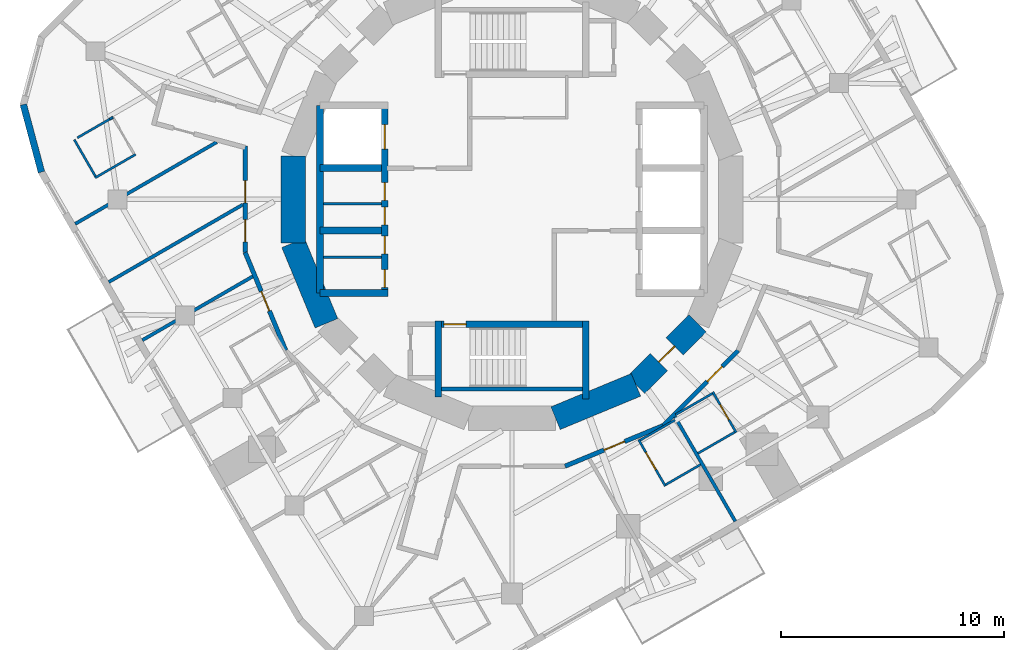
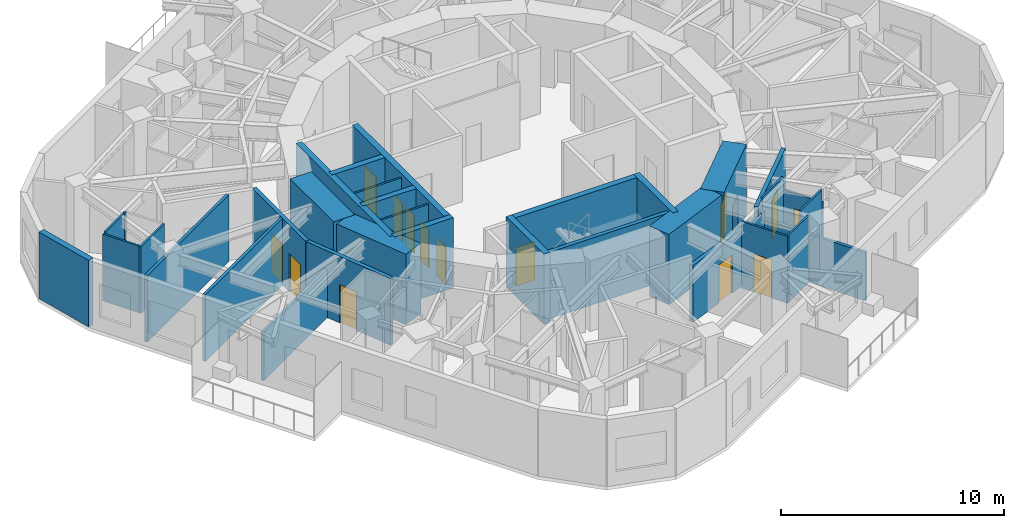
# One storey, part 5 of 11: 34 walls, 14 doors, 14 openings.
"""IFC4 building model written with IfcOpenShell, lengths in metres."""

from ifc_helpers import new_model, si_unit, direction, frame, frame_2d, origin, place, context, subcontext, project, spatial, rectangle, extrude, material, layer, layer_set, type_object, element, fill, save


model = new_model("IFC4")

# Units and contexts
model_context = context("Model", 3, precision=1e-05, world=origin(), true_north=direction((0.0, 1.0)))
body_context = subcontext(model_context, "Body", "Model", "MODEL_VIEW")
ifc_project = project(units=[si_unit("LENGTHUNIT", "METRE"), si_unit("AREAUNIT", "SQUARE_METRE"), si_unit("VOLUMEUNIT", "CUBIC_METRE"), si_unit("PLANEANGLEUNIT", "RADIAN"), si_unit("MASSUNIT", "GRAM", prefix="KILO")], contexts=[model_context])

# Site, building, storey
site_placement = place(None, origin())
site = spatial("IfcSite", under=ifc_project, at=site_placement, CompositionType="ELEMENT")
building_placement = place(site_placement, origin())
building = spatial("IfcBuilding", under=site, at=building_placement, Name="Nakasero Lantern House", CompositionType="ELEMENT")
storey_placement = place(building_placement, frame((0.0, 0.0, 230.800048828125)))
storey = spatial("IfcBuildingStorey", under=building, at=storey_placement, Name="L56", CompositionType="ELEMENT", Elevation=230.800048828125)

# Wall, openings, doors
ifc_material_1 = material(Name="Concrete C50/60", Category="concrete")
ifc_layer_1 = layer(ifc_material_1, 0.300048828125)
ifc_layer_set_1 = layer_set([ifc_layer_1], Name="Core inner wall 300")
wall_type_1 = type_object("IfcWallType", Name="Core inner wall 300", PredefinedType="SHEAR", material=ifc_layer_set_1)
wall_1_placement = place(storey_placement, frame((-5.699951171875, -4.199951171875, 0.0), z_axis=(0.0, 0.0, 1.0), x_axis=(0.0, 1.0, 0.0)))
wall_1 = element("IfcWall", 1, at=wall_1_placement, inside=storey, type_object=wall_type_1, Name="Core inner wall L56 LW", PredefinedType="SHEAR", context=body_context, shape_type="SweptSolid", body=[
    extrude(rectangle(XDim=8.39990234375, YDim=0.300048828125, at=frame_2d((4.199951171875, 0.0))), origin(), (0.0, 0.0, 1.0), 3.849853515625),
])
opening_1_placement = place(wall_1_placement, frame((0.25, 0.0, 0.0)))
opening_1 = element("IfcOpeningElement", 2, at=opening_1_placement, cuts=wall_1, Name="Opening D19", PredefinedType="OPENING", context=body_context, shape_type="SweptSolid", body=[
    extrude(rectangle(XDim=0.800048828125, YDim=2.10009765625, at=frame_2d((0.39990234375, 1.050048828125))), frame((0.0, 0.169921875, 0.0), z_axis=(0.0, -1.0, 0.0), x_axis=(1.0, 0.0, 0.0)), (0.0, 0.0, 1.0), 0.340087890625),
])
opening_2_placement = place(wall_1_placement, frame((1.75, 0.0, 0.0)))
opening_2 = element("IfcOpeningElement", 3, at=opening_2_placement, cuts=wall_1, Name="Opening D15", PredefinedType="OPENING", context=body_context, shape_type="SweptSolid", body=[
    extrude(rectangle(XDim=0.800048828125, YDim=2.10009765625, at=frame_2d((0.39990234375, 1.050048828125))), frame((0.0, 0.169921875, 0.0), z_axis=(0.0, -1.0, 0.0), x_axis=(1.0, 0.0, 0.0)), (0.0, 0.0, 1.0), 0.340087890625),
])
opening_3_placement = place(wall_1_placement, frame((3.050048828125, 0.0, 0.0)))
opening_3 = element("IfcOpeningElement", 4, at=opening_3_placement, cuts=wall_1, Name="Opening D15", PredefinedType="OPENING", context=body_context, shape_type="SweptSolid", body=[
    extrude(rectangle(XDim=0.800048828125, YDim=2.10009765625, at=frame_2d((0.39990234375, 1.050048828125))), frame((0.0, 0.169921875, 0.0), z_axis=(0.0, -1.0, 0.0), x_axis=(1.0, 0.0, 0.0)), (0.0, 0.0, 1.0), 0.340087890625),
])
opening_4_placement = place(wall_1_placement, frame((4.14990234375, 0.0, 0.0)))
opening_4 = element("IfcOpeningElement", 5, at=opening_4_placement, cuts=wall_1, Name="Opening D15", PredefinedType="OPENING", context=body_context, shape_type="SweptSolid", body=[
    extrude(rectangle(XDim=0.800048828125, YDim=2.10009765625, at=frame_2d((0.39990234375, 1.050048828125))), frame((0.0, 0.169921875, 0.0), z_axis=(0.0, -1.0, 0.0), x_axis=(1.0, 0.0, 0.0)), (0.0, 0.0, 1.0), 0.340087890625),
])
opening_5_placement = place(wall_1_placement, frame((6.449951171875, 0.0, 0.0)))
opening_5 = element("IfcOpeningElement", 6, at=opening_5_placement, cuts=wall_1, Name="Opening LD", PredefinedType="OPENING", context=body_context, shape_type="SweptSolid", body=[
    extrude(rectangle(XDim=1.10009765625, YDim=2.10009765625, at=frame_2d((0.550048828125, 1.050048828125))), frame((0.0, 0.169921875, 0.0), z_axis=(0.0, -1.0, 0.0), x_axis=(1.0, 0.0, 0.0)), (0.0, 0.0, 1.0), 0.340087890625),
])
ifc_material_2 = material(Name="Timber C24", Category="wood")
door_type_1 = type_object("IfcDoorType", Name="Cleaner's store door FD30S 800", OperationType="SINGLE_SWING_LEFT", PredefinedType="DOOR", material=ifc_material_2)
door_1_placement = place(opening_2_placement, origin())
door_1 = element("IfcDoor", 7, at=door_1_placement, inside=storey, type_object=door_type_1, Name="Door L56 D-SH-LW1b", OperationType="SINGLE_SWING_LEFT", OverallHeight=2.10009765625, OverallWidth=0.800048828125, PredefinedType="DOOR", context=body_context, shape_type="SweptSolid", body=[
    extrude(rectangle(XDim=0.800048828125, YDim=2.10009765625, at=frame_2d((0.39990234375, 1.050048828125))), frame((0.0, 0.02490234375, 0.0), z_axis=(0.0, -1.0, 0.0), x_axis=(1.0, 0.0, 0.0)), (0.0, 0.0, 1.0), 0.050048828125),
])
fill(opening_2, door_1)
door_2_placement = place(opening_3_placement, origin())
door_2 = element("IfcDoor", 8, at=door_2_placement, inside=storey, type_object=door_type_1, Name="Door L56 D-SH-LW2a", OperationType="SINGLE_SWING_LEFT", OverallHeight=2.10009765625, OverallWidth=0.800048828125, PredefinedType="DOOR", context=body_context, shape_type="SweptSolid", body=[
    extrude(rectangle(XDim=0.800048828125, YDim=2.10009765625, at=frame_2d((0.39990234375, 1.050048828125))), frame((0.0, 0.02490234375, 0.0), z_axis=(0.0, -1.0, 0.0), x_axis=(1.0, 0.0, 0.0)), (0.0, 0.0, 1.0), 0.050048828125),
])
fill(opening_3, door_2)
door_3_placement = place(opening_4_placement, origin())
door_3 = element("IfcDoor", 9, at=door_3_placement, inside=storey, type_object=door_type_1, Name="Door L56 D-SH-LW2b", OperationType="SINGLE_SWING_RIGHT", OverallHeight=2.10009765625, OverallWidth=0.800048828125, PredefinedType="DOOR", context=body_context, shape_type="SweptSolid", body=[
    extrude(rectangle(XDim=0.800048828125, YDim=2.10009765625, at=frame_2d((0.39990234375, 1.050048828125))), frame((0.0, 0.02490234375, 0.0), z_axis=(0.0, -1.0, 0.0), x_axis=(1.0, 0.0, 0.0)), (0.0, 0.0, 1.0), 0.050048828125),
])
fill(opening_4, door_3)
ifc_material_3 = material(Name="Steel S355", Category="steel")
door_type_2 = type_object("IfcDoorType", Name="Lift landing door E120 1100", OperationType="SLIDING_TO_LEFT", PredefinedType="DOOR", material=ifc_material_3)
door_4_placement = place(opening_5_placement, origin())
door_4 = element("IfcDoor", 10, at=door_4_placement, inside=storey, type_object=door_type_2, Name="Lift landing door LW3", OperationType="SLIDING_TO_LEFT", OverallHeight=2.10009765625, OverallWidth=1.10009765625, PredefinedType="DOOR", context=body_context, shape_type="SweptSolid", body=[
    extrude(rectangle(XDim=1.10009765625, YDim=2.10009765625, at=frame_2d((0.550048828125, 1.050048828125))), frame((0.0, 0.02490234375, 0.0), z_axis=(0.0, -1.0, 0.0), x_axis=(1.0, 0.0, 0.0)), (0.0, 0.0, 1.0), 0.050048828125),
])
fill(opening_5, door_4)
ifc_material_4 = material(Name="Steel S355", Category="steel")
door_type_3 = type_object("IfcDoorType", Name="Plant room door FD60 800", OperationType="SINGLE_SWING_LEFT", PredefinedType="DOOR", material=ifc_material_4)
door_5_placement = place(opening_1_placement, origin())
door_5 = element("IfcDoor", 11, at=door_5_placement, inside=storey, type_object=door_type_3, Name="Door L56 D-SH-LW1a", OperationType="SINGLE_SWING_LEFT", OverallHeight=2.10009765625, OverallWidth=0.800048828125, PredefinedType="DOOR", context=body_context, shape_type="SweptSolid", body=[
    extrude(rectangle(XDim=0.800048828125, YDim=2.10009765625, at=frame_2d((0.39990234375, 1.050048828125))), frame((0.0, 0.02490234375, 0.0), z_axis=(0.0, -1.0, 0.0), x_axis=(1.0, 0.0, 0.0)), (0.0, 0.0, 1.0), 0.050048828125),
])
fill(opening_1, door_5)

# Walls
wall_2_placement = place(storey_placement, frame((-8.60009765625, -4.199951171875, 0.0), z_axis=(0.0, 0.0, 1.0), x_axis=(1.0, 0.0, 0.0)))
element("IfcWall", 12, at=wall_2_placement, inside=storey, type_object=wall_type_1, Name="Core inner wall L56 LWS", PredefinedType="SHEAR", context=body_context, shape_type="SweptSolid", body=[
    extrude(rectangle(XDim=3.050048828125, YDim=0.300048828125, at=frame_2d((1.52490234375, 0.0))), origin(), (0.0, 0.0, 1.0), 3.849853515625),
])
wall_3_placement = place(storey_placement, frame((-8.60009765625, -4.199951171875, 0.0), z_axis=(0.0, 0.0, 1.0), x_axis=(0.0, 1.0, 0.0)))
element("IfcWall", 13, at=wall_3_placement, inside=storey, type_object=wall_type_1, Name="Core inner wall L56 LWB", PredefinedType="SHEAR", context=body_context, shape_type="SweptSolid", body=[
    extrude(rectangle(XDim=8.39990234375, YDim=0.300048828125, at=frame_2d((4.199951171875, 0.0))), origin(), (0.0, 0.0, 1.0), 3.849853515625),
])
for number, where, z_axis, x_axis, name in (
    (14, (-8.60009765625, -1.39990234375, 0.0), (0.0, 0.0, 1.0), (1.0, 0.0, 0.0), "Core inner wall L56 LW1"),
    (15, (-8.60009765625, 1.39990234375, 0.0), (0.0, 0.0, 1.0), (1.0, 0.0, 0.0), "Core inner wall L56 LW2"),
):
    element("IfcWall", number, at=place(storey_placement, frame(where, z_axis=z_axis, x_axis=x_axis)), inside=storey, type_object=wall_type_1, Name=name, PredefinedType="SHEAR", context=body_context, shape_type="SweptSolid", body=[
        extrude(rectangle(XDim=2.75, YDim=0.300048828125, at=frame_2d((1.375, 0.0))), origin(), (0.0, 0.0, 1.0), 3.849853515625),
    ])

# Wall, opening, door
wall_4_placement = place(storey_placement, frame((-3.449951171875, -5.60009765625, 0.0), z_axis=(0.0, 0.0, 1.0), x_axis=(1.0, 0.0, 0.0)))
wall_4 = element("IfcWall", 16, at=wall_4_placement, inside=storey, type_object=wall_type_1, Name="Core inner wall L56 SS", PredefinedType="SHEAR", context=body_context, shape_type="SweptSolid", body=[
    extrude(rectangle(XDim=6.89990234375, YDim=0.300048828125, at=frame_2d((3.449951171875, 0.0))), origin(), (0.0, 0.0, 1.0), 3.849853515625),
])
opening_6_placement = place(wall_4_placement, frame((0.39990234375, 0.0, 0.0)))
opening_6 = element("IfcOpeningElement", 17, at=opening_6_placement, cuts=wall_4, Name="Opening D05", PredefinedType="OPENING", context=body_context, shape_type="SweptSolid", body=[
    extrude(rectangle(XDim=1.0, YDim=2.10009765625, at=frame_2d((0.5, 1.050048828125))), frame((0.0, 0.169921875, 0.0), z_axis=(0.0, -1.0, 0.0), x_axis=(1.0, 0.0, 0.0)), (0.0, 0.0, 1.0), 0.340087890625),
])
ifc_material_5 = material(Name="Timber C24", Category="wood")
door_type_4 = type_object("IfcDoorType", Name="Core door FD60S 1000", OperationType="SINGLE_SWING_LEFT", PredefinedType="DOOR", material=ifc_material_5)
door_6_placement = place(opening_6_placement, origin())
door_6 = element("IfcDoor", 18, at=door_6_placement, inside=storey, type_object=door_type_4, Name="Door L56 D-ST2", OperationType="SINGLE_SWING_LEFT", OverallHeight=2.10009765625, OverallWidth=1.0, PredefinedType="DOOR", context=body_context, shape_type="SweptSolid", body=[
    extrude(rectangle(XDim=1.0, YDim=2.10009765625, at=frame_2d((0.5, 1.050048828125))), frame((0.0, 0.02490234375, 0.0), z_axis=(0.0, -1.0, 0.0), x_axis=(1.0, 0.0, 0.0)), (0.0, 0.0, 1.0), 0.050048828125),
])
fill(opening_6, door_6)

# Walls
wall_5_placement = place(storey_placement, frame((-3.300048828125, -5.449951171875, 0.0), z_axis=(0.0, 0.0, 1.0), x_axis=(0.0, -1.0, 0.0)))
element("IfcWall", 19, at=wall_5_placement, inside=storey, type_object=wall_type_1, Name="Core inner wall L56 SSW", PredefinedType="SHEAR", context=body_context, shape_type="SweptSolid", body=[
    extrude(rectangle(XDim=3.400146484375, YDim=0.300048828125, at=frame_2d((1.7001953125, 0.0))), origin(), (0.0, 0.0, 1.0), 3.849853515625),
])
wall_6_placement = place(storey_placement, frame((3.300048828125, -5.449951171875, 0.0), z_axis=(0.0, 0.0, 1.0), x_axis=(0.0, -1.0, 0.0)))
element("IfcWall", 20, at=wall_6_placement, inside=storey, type_object=wall_type_1, Name="Core inner wall L56 SSE", PredefinedType="SHEAR", context=body_context, shape_type="SweptSolid", body=[
    extrude(rectangle(XDim=3.5, YDim=0.300048828125, at=frame_2d((1.75, 0.0))), origin(), (0.0, 0.0, 1.0), 3.849853515625),
])
ifc_material_6 = material(Name="Blockwork", Category="masonry")
ifc_layer_2 = layer(ifc_material_6, 0.10009765625)
ifc_layer_set_2 = layer_set([ifc_layer_2], Name="Core room wall 100")
wall_type_2 = type_object("IfcWallType", Name="Core room wall 100", PredefinedType="PARTITIONING", material=ifc_layer_set_2)
for number, where, z_axis, x_axis, name in (
    (21, (-8.449951171875, -2.60009765625, 0.0), (0.0, 0.0, 1.0), (1.0, 0.0, 0.0), "Core room wall L56 CR-SH-LW1b"),
    (22, (-8.449951171875, -0.199951171875, 0.0), (0.0, 0.0, 1.0), (1.0, 0.0, 0.0), "Core room wall L56 CR-SH-LW2b"),
):
    element("IfcWall", number, at=place(storey_placement, frame(where, z_axis=z_axis, x_axis=x_axis)), inside=storey, type_object=wall_type_2, Name=name, PredefinedType="PARTITIONING", context=body_context, shape_type="SweptSolid", body=[
        extrude(rectangle(XDim=2.599853515625, YDim=0.10009765625, at=frame_2d((1.2998046875, 0.0))), origin(), (0.0, 0.0, 1.0), 3.64990234375),
    ])
ifc_material_7 = material(Name="Concrete C50/60", Category="concrete")
ifc_layer_3 = layer(ifc_material_7, 1.10009765625)
ifc_layer_set_3 = layer_set([ifc_layer_3], Name="Core wall 1100")
wall_type_3 = type_object("IfcWallType", Name="Core wall 1100", PredefinedType="SHEAR", material=ifc_layer_set_3)
for number, where, z_axis, x_axis, name in (
    (23, (-9.807861328125, 1.950927734375, 0.0), (0.0, 0.0, 1.0), (0.0, -1.0, 0.0), "Core wall L56 facet 8"),
    (24, (-9.807861328125, -1.950927734375, 0.0), (0.0, 0.0, 1.0), (0.382690736062, -0.923876507187, 0.0), "Core wall L56 facet 9"),
    (25, (1.950927734375, -9.807861328125, 0.0), (0.0, 0.0, 1.0), (0.923876507187, 0.382690736062, 0.0), "Core wall L56 facet 13"),
):
    element("IfcWall", number, at=place(storey_placement, frame(where, z_axis=z_axis, x_axis=x_axis)), inside=storey, type_object=wall_type_3, Name=name, PredefinedType="SHEAR", context=body_context, shape_type="SweptSolid", body=[
        extrude(rectangle(XDim=3.90185546875, YDim=1.10009765625, at=frame_2d((1.950927734375, 0.0))), origin(), (0.0, 0.0, 1.0), 3.849853515625),
    ])

# Wall, opening, door
wall_7_placement = place(storey_placement, frame((5.5556640625, -8.314697265625, 0.0), z_axis=(0.0, 0.0, 1.0), x_axis=(0.707106781187, 0.707106781187, 0.0)))
wall_7 = element("IfcWall", 26, at=wall_7_placement, inside=storey, type_object=wall_type_3, Name="Core wall L56 facet 14", PredefinedType="SHEAR", context=body_context, shape_type="SweptSolid", body=[
    extrude(rectangle(XDim=3.90185546875, YDim=1.10009765625, at=frame_2d((1.950927734375, 0.0))), origin(), (0.0, 0.0, 1.0), 3.849853515625),
])
opening_7_placement = place(wall_7_placement, frame((1.450927734375, 0.0, 0.0)))
opening_7 = element("IfcOpeningElement", 27, at=opening_7_placement, cuts=wall_7, Name="Opening D05", PredefinedType="OPENING", context=body_context, shape_type="SweptSolid", body=[
    extrude(rectangle(XDim=1.0, YDim=2.10009765625, at=frame_2d((0.5, 1.050048828125))), frame((0.0, 0.570068359375, 0.0), z_axis=(0.0, -1.0, 0.0), x_axis=(1.0, 0.0, 0.0)), (0.0, 0.0, 1.0), 1.14013671875),
])
door_7_placement = place(opening_7_placement, origin())
door_7 = element("IfcDoor", 28, at=door_7_placement, inside=storey, type_object=door_type_4, Name="Door L56 D-CORE14", OperationType="SINGLE_SWING_LEFT", OverallHeight=2.10009765625, OverallWidth=1.0, PredefinedType="DOOR", context=body_context, shape_type="SweptSolid", body=[
    extrude(rectangle(XDim=1.0, YDim=2.10009765625, at=frame_2d((0.5, 1.050048828125))), frame((0.0, 0.02490234375, 0.0), z_axis=(0.0, -1.0, 0.0), x_axis=(1.0, 0.0, 0.0)), (0.0, 0.0, 1.0), 0.050048828125),
])
fill(opening_7, door_7)

ifc_material_8 = material(Name="Blockwork", Category="masonry")
ifc_layer_4 = layer(ifc_material_8, 0.199951171875)
ifc_layer_set_4 = layer_set([ifc_layer_4], Name="Corridor wall 200")
wall_type_4 = type_object("IfcWallType", Name="Corridor wall 200", PredefinedType="PARTITIONING", material=ifc_layer_set_4)
wall_8_placement = place(storey_placement, frame((10.137451171875, -6.773681640625, 0.0), z_axis=(0.0, 0.0, 1.0), x_axis=(-0.707106781187, -0.707106781187, 0.0)))
wall_8 = element("IfcWall", 29, at=wall_8_placement, inside=storey, type_object=wall_type_4, Name="Corridor wall L56 RC02a", PredefinedType="PARTITIONING", context=body_context, shape_type="SweptSolid", body=[
    extrude(rectangle(XDim=4.757080078125, YDim=0.199951171875, at=frame_2d((2.37841796875, 0.0))), origin(), (0.0, 0.0, 1.0), 3.64990234375),
])
opening_8_placement = place(wall_8_placement, frame((1.02001953125, 0.0, 0.0)))
opening_8 = element("IfcOpeningElement", 30, at=opening_8_placement, cuts=wall_8, Name="Opening D01", PredefinedType="OPENING", context=body_context, shape_type="SweptSolid", body=[
    extrude(rectangle(XDim=0.949951171875, YDim=2.10009765625, at=frame_2d((0.47509765625, 1.050048828125))), frame((0.0, 0.119873046875, 0.0), z_axis=(0.0, -1.0, 0.0), x_axis=(1.0, 0.0, 0.0)), (0.0, 0.0, 1.0), 0.239990234375),
])
ifc_material_9 = material(Name="Timber C24", Category="wood")
door_type_5 = type_object("IfcDoorType", Name="Bedroom door FD30S 950", OperationType="SINGLE_SWING_LEFT", PredefinedType="DOOR", material=ifc_material_9)
door_8_placement = place(opening_8_placement, origin())
door_8 = element("IfcDoor", 31, at=door_8_placement, inside=storey, type_object=door_type_5, Name="Door L56 D3-04", OperationType="SINGLE_SWING_LEFT", OverallHeight=2.10009765625, OverallWidth=0.949951171875, PredefinedType="DOOR", context=body_context, shape_type="SweptSolid", body=[
    extrude(rectangle(XDim=0.949951171875, YDim=2.10009765625, at=frame_2d((0.47509765625, 1.050048828125))), frame((0.0, 0.02490234375, 0.0), z_axis=(0.0, -1.0, 0.0), x_axis=(1.0, 0.0, 0.0)), (0.0, 0.0, 1.0), 0.050048828125),
])
fill(opening_8, door_8)

wall_9_placement = place(storey_placement, frame((6.773681640625, -10.137451171875, 0.0), z_axis=(0.0, 0.0, 1.0), x_axis=(-0.923891735412, -0.382653970627, 0.0)))
wall_9 = element("IfcWall", 32, at=wall_9_placement, inside=storey, type_object=wall_type_4, Name="Corridor wall L56 RC03a", PredefinedType="PARTITIONING", context=body_context, shape_type="SweptSolid", body=[
    extrude(rectangle(XDim=4.757080078125, YDim=0.199951171875, at=frame_2d((2.37841796875, 0.0))), origin(), (0.0, 0.0, 1.0), 3.11328125),
])
opening_9_placement = place(wall_9_placement, frame((1.8701171875, 0.0, 0.0)))
opening_9 = element("IfcOpeningElement", 33, at=opening_9_placement, cuts=wall_9, Name="Opening D07", PredefinedType="OPENING", context=body_context, shape_type="SweptSolid", body=[
    extrude(rectangle(XDim=1.0, YDim=2.10009765625, at=frame_2d((0.5, 1.050048828125))), frame((0.0, 0.119873046875, 0.0), z_axis=(0.0, -1.0, 0.0), x_axis=(1.0, 0.0, 0.0)), (0.0, 0.0, 1.0), 0.239990234375),
])
ifc_material_10 = material(Name="Timber C24", Category="wood")
door_type_6 = type_object("IfcDoorType", Name="Room door FD30S 1000", OperationType="SINGLE_SWING_LEFT", PredefinedType="DOOR", material=ifc_material_10)
door_9_placement = place(opening_9_placement, origin())
door_9 = element("IfcDoor", 34, at=door_9_placement, inside=storey, type_object=door_type_6, Name="Door L56 D3-03", OperationType="SINGLE_SWING_LEFT", OverallHeight=2.10009765625, OverallWidth=1.0, PredefinedType="DOOR", context=body_context, shape_type="SweptSolid", body=[
    extrude(rectangle(XDim=1.0, YDim=2.10009765625, at=frame_2d((0.5, 1.050048828125))), frame((0.0, 0.02490234375, 0.0), z_axis=(0.0, -1.0, 0.0), x_axis=(1.0, 0.0, 0.0)), (0.0, 0.0, 1.0), 0.050048828125),
])
fill(opening_9, door_9)

wall_10_placement = place(storey_placement, frame((-10.137451171875, -6.773681640625, 0.0), z_axis=(0.0, 0.0, 1.0), x_axis=(-0.382653970627, 0.923891735412, 0.0)))
wall_10 = element("IfcWall", 35, at=wall_10_placement, inside=storey, type_object=wall_type_4, Name="Corridor wall L56 RC07a", PredefinedType="PARTITIONING", context=body_context, shape_type="SweptSolid", body=[
    extrude(rectangle(XDim=4.757080078125, YDim=0.199951171875, at=frame_2d((2.37841796875, 0.0))), origin(), (0.0, 0.0, 1.0), 3.64990234375),
])
opening_10_placement = place(wall_10_placement, frame((1.919921875, 0.0, 0.0)))
opening_10 = element("IfcOpeningElement", 36, at=opening_10_placement, cuts=wall_10, Name="Opening D01", PredefinedType="OPENING", context=body_context, shape_type="SweptSolid", body=[
    extrude(rectangle(XDim=0.949951171875, YDim=2.10009765625, at=frame_2d((0.47509765625, 1.050048828125))), frame((0.0, 0.119873046875, 0.0), z_axis=(0.0, -1.0, 0.0), x_axis=(1.0, 0.0, 0.0)), (0.0, 0.0, 1.0), 0.239990234375),
])
door_10_placement = place(opening_10_placement, origin())
door_10 = element("IfcDoor", 37, at=door_10_placement, inside=storey, type_object=door_type_5, Name="Door L56 D2-03", OperationType="SINGLE_SWING_RIGHT", OverallHeight=2.10009765625, OverallWidth=0.949951171875, PredefinedType="DOOR", context=body_context, shape_type="SweptSolid", body=[
    extrude(rectangle(XDim=0.949951171875, YDim=2.10009765625, at=frame_2d((0.47509765625, 1.050048828125))), frame((0.0, 0.02490234375, 0.0), z_axis=(0.0, -1.0, 0.0), x_axis=(1.0, 0.0, 0.0)), (0.0, 0.0, 1.0), 0.050048828125),
])
fill(opening_10, door_10)

# Wall, openings, doors
wall_11_placement = place(storey_placement, frame((-11.957763671875, -2.378662109375, 0.0), z_axis=(0.0, 0.0, 1.0), x_axis=(0.0, 1.0, 0.0)))
wall_11 = element("IfcWall", 38, at=wall_11_placement, inside=storey, type_object=wall_type_4, Name="Corridor wall L56 RC08a", PredefinedType="PARTITIONING", context=body_context, shape_type="SweptSolid", body=[
    extrude(rectangle(XDim=4.75732421875, YDim=0.199951171875, at=frame_2d((2.378662109375, 0.0))), origin(), (0.0, 0.0, 1.0), 3.64990234375),
])
opening_11_placement = place(wall_11_placement, frame((2.219970703125, 0.0, 0.0)))
opening_11 = element("IfcOpeningElement", 39, at=opening_11_placement, cuts=wall_11, Name="Opening D03", PredefinedType="OPENING", context=body_context, shape_type="SweptSolid", body=[
    extrude(rectangle(XDim=1.0, YDim=2.10009765625, at=frame_2d((0.5, 1.050048828125))), frame((0.0, 0.119873046875, 0.0), z_axis=(0.0, -1.0, 0.0), x_axis=(1.0, 0.0, 0.0)), (0.0, 0.0, 1.0), 0.239990234375),
])
opening_12_placement = place(wall_11_placement, frame((0.469970703125, 0.0, 0.0)))
opening_12 = element("IfcOpeningElement", 40, at=opening_12_placement, cuts=wall_11, Name="Opening D03", PredefinedType="OPENING", context=body_context, shape_type="SweptSolid", body=[
    extrude(rectangle(XDim=1.0, YDim=2.10009765625, at=frame_2d((0.5, 1.050048828125))), frame((0.0, 0.119873046875, 0.0), z_axis=(0.0, -1.0, 0.0), x_axis=(1.0, 0.0, 0.0)), (0.0, 0.0, 1.0), 0.239990234375),
])
ifc_material_11 = material(Name="Timber C24", Category="wood")
door_type_7 = type_object("IfcDoorType", Name="Lounge door FD30S 1000", OperationType="SINGLE_SWING_LEFT", PredefinedType="DOOR", material=ifc_material_11)
door_11_placement = place(opening_11_placement, origin())
door_11 = element("IfcDoor", 41, at=door_11_placement, inside=storey, type_object=door_type_7, Name="Door L56 DK2", OperationType="SINGLE_SWING_RIGHT", OverallHeight=2.10009765625, OverallWidth=1.0, PredefinedType="DOOR", context=body_context, shape_type="SweptSolid", body=[
    extrude(rectangle(XDim=1.0, YDim=2.10009765625, at=frame_2d((0.5, 1.050048828125))), frame((0.0, 0.02490234375, 0.0), z_axis=(0.0, -1.0, 0.0), x_axis=(1.0, 0.0, 0.0)), (0.0, 0.0, 1.0), 0.050048828125),
])
fill(opening_11, door_11)
door_12_placement = place(opening_12_placement, origin())
door_12 = element("IfcDoor", 42, at=door_12_placement, inside=storey, type_object=door_type_7, Name="Door L56 DK2-1", OperationType="SINGLE_SWING_LEFT", OverallHeight=2.10009765625, OverallWidth=1.0, PredefinedType="DOOR", context=body_context, shape_type="SweptSolid", body=[
    extrude(rectangle(XDim=1.0, YDim=2.10009765625, at=frame_2d((0.5, 1.050048828125))), frame((0.0, 0.02490234375, 0.0), z_axis=(0.0, -1.0, 0.0), x_axis=(1.0, 0.0, 0.0)), (0.0, 0.0, 1.0), 0.050048828125),
])
fill(opening_12, door_12)

# Walls
ifc_material_12 = material(Name="Blockwork", Category="masonry")
ifc_layer_5 = layer(ifc_material_12, 0.10009765625)
ifc_layer_set_5 = layer_set([ifc_layer_5], Name="En-suite wall 100")
wall_type_5 = type_object("IfcWallType", Name="En-suite wall 100", PredefinedType="PARTITIONING", material=ifc_layer_set_5)
wall_12_placement = place(storey_placement, frame((-16.865478515625, 2.01171875, 0.0), z_axis=(0.0, 0.0, 1.0), x_axis=(-0.866059744384, -0.49994051562, 0.0)))
element("IfcWall", 43, at=wall_12_placement, inside=storey, type_object=wall_type_5, Name="En-suite wall L56 ES2-00", PredefinedType="PARTITIONING", context=body_context, shape_type="SweptSolid", body=[
    extrude(rectangle(XDim=2.099853515625, YDim=0.10009765625, at=frame_2d((1.0498046875, 0.0))), origin(), (0.0, 0.0, 1.0), 3.64990234375),
])
wall_13_placement = place(storey_placement, frame((-19.61572265625, 2.675537109375, 0.0), z_axis=(0.0, 0.0, 1.0), x_axis=(0.499967155389, -0.866044365799, 0.0)))
element("IfcWall", 44, at=wall_13_placement, inside=storey, type_object=wall_type_5, Name="En-suite wall L56 EE2-00", PredefinedType="PARTITIONING", context=body_context, shape_type="SweptSolid", body=[
    extrude(rectangle(XDim=1.900146484375, YDim=0.10009765625, at=frame_2d((0.9501953125, 0.0))), origin(), (0.0, 0.0, 1.0), 3.64990234375),
])

# Wall, opening, door
wall_14_placement = place(storey_placement, frame((5.67333984375, -10.774658203125, 0.0), z_axis=(0.0, 0.0, 1.0), x_axis=(0.500001309137, -0.866024647952, 0.0)))
wall_14 = element("IfcWall", 45, at=wall_14_placement, inside=storey, type_object=wall_type_5, Name="En-suite wall L56 ES3-03", PredefinedType="PARTITIONING", context=body_context, shape_type="SweptSolid", body=[
    extrude(rectangle(XDim=2.39990234375, YDim=0.10009765625, at=frame_2d((1.199951171875, 0.0))), origin(), (0.0, 0.0, 1.0), 3.64990234375),
])
opening_13_placement = place(wall_14_placement, frame((0.64990234375, 0.0, 0.0)))
opening_13 = element("IfcOpeningElement", 46, at=opening_13_placement, cuts=wall_14, Name="Opening D16", PredefinedType="OPENING", context=body_context, shape_type="SweptSolid", body=[
    extrude(rectangle(XDim=0.89990234375, YDim=2.10009765625, at=frame_2d((0.449951171875, 1.050048828125))), frame((0.0, 0.070068359375, 0.0), z_axis=(0.0, -1.0, 0.0), x_axis=(1.0, 0.0, 0.0)), (0.0, 0.0, 1.0), 0.14013671875),
])
ifc_material_13 = material(Name="Timber C24", Category="wood")
door_type_8 = type_object("IfcDoorType", Name="Accessible WC door 900", OperationType="SINGLE_SWING_RIGHT", PredefinedType="DOOR", material=ifc_material_13)
door_13_placement = place(opening_13_placement, origin())
door_13 = element("IfcDoor", 47, at=door_13_placement, inside=storey, type_object=door_type_8, Name="Door L56 DE3-03", OperationType="SINGLE_SWING_LEFT", OverallHeight=2.10009765625, OverallWidth=0.89990234375, PredefinedType="DOOR", context=body_context, shape_type="SweptSolid", body=[
    extrude(rectangle(XDim=0.89990234375, YDim=2.10009765625, at=frame_2d((0.449951171875, 1.050048828125))), frame((0.0, 0.02490234375, 0.0), z_axis=(0.0, -1.0, 0.0), x_axis=(1.0, 0.0, 0.0)), (0.0, 0.0, 1.0), 0.050048828125),
])
fill(opening_13, door_13)

# Walls
wall_15_placement = place(storey_placement, frame((6.8916015625, -12.784912109375, 0.0), z_axis=(0.0, 0.0, 1.0), x_axis=(0.865989075817, 0.500062916607, 0.0)))
element("IfcWall", 48, at=wall_15_placement, inside=storey, type_object=wall_type_5, Name="En-suite wall L56 EE3-03", PredefinedType="PARTITIONING", context=body_context, shape_type="SweptSolid", body=[
    extrude(rectangle(XDim=1.800048828125, YDim=0.10009765625, at=frame_2d((0.89990234375, 0.0))), origin(), (0.0, 0.0, 1.0), 3.64990234375),
])
wall_16_placement = place(storey_placement, frame((5.741455078125, -10.79296875, 0.0), z_axis=(0.0, 0.0, 1.0), x_axis=(0.866081705922, 0.499902469156, 0.0)))
element("IfcWall", 49, at=wall_16_placement, inside=storey, type_object=wall_type_5, Name="En-suite wall L56 EI3-03", PredefinedType="PARTITIONING", context=body_context, shape_type="SweptSolid", body=[
    extrude(rectangle(XDim=1.800048828125, YDim=0.10009765625, at=frame_2d((0.89990234375, 0.0))), origin(), (0.0, 0.0, 1.0), 3.11328125),
])

# Wall, opening, door
wall_17_placement = place(storey_placement, frame((8.997314453125, -8.632080078125, 0.0), z_axis=(0.0, 0.0, 1.0), x_axis=(0.499977374825, -0.866038466041, 0.0)))
wall_17 = element("IfcWall", 50, at=wall_17_placement, inside=storey, type_object=wall_type_5, Name="En-suite wall L56 ES3-04", PredefinedType="PARTITIONING", context=body_context, shape_type="SweptSolid", body=[
    extrude(rectangle(XDim=2.10009765625, YDim=0.10009765625, at=frame_2d((1.050048828125, 0.0))), origin(), (0.0, 0.0, 1.0), 2.966552734375),
])
opening_14_placement = place(wall_17_placement, frame((0.64990234375, 0.0, 0.0)))
opening_14 = element("IfcOpeningElement", 51, at=opening_14_placement, cuts=wall_17, Name="Opening D02", PredefinedType="OPENING", context=body_context, shape_type="SweptSolid", body=[
    extrude(rectangle(XDim=0.800048828125, YDim=2.10009765625, at=frame_2d((0.39990234375, 1.050048828125))), frame((0.0, 0.070068359375, 0.0), z_axis=(0.0, -1.0, 0.0), x_axis=(1.0, 0.0, 0.0)), (0.0, 0.0, 1.0), 0.14013671875),
])
ifc_material_14 = material(Name="Timber C24", Category="wood")
door_type_9 = type_object("IfcDoorType", Name="En-suite door 800", OperationType="SINGLE_SWING_RIGHT", PredefinedType="DOOR", material=ifc_material_14)
door_14_placement = place(opening_14_placement, origin())
door_14 = element("IfcDoor", 52, at=door_14_placement, inside=storey, type_object=door_type_9, Name="Door L56 DE3-04", OperationType="SINGLE_SWING_RIGHT", OverallHeight=2.10009765625, OverallWidth=0.800048828125, PredefinedType="DOOR", context=body_context, shape_type="SweptSolid", body=[
    extrude(rectangle(XDim=0.800048828125, YDim=2.10009765625, at=frame_2d((0.39990234375, 1.050048828125))), frame((0.0, 0.02490234375, 0.0), z_axis=(0.0, -1.0, 0.0), x_axis=(1.0, 0.0, 0.0)), (0.0, 0.0, 1.0), 0.050048828125),
])
fill(opening_14, door_14)

# Walls
for number, where, z_axis, x_axis, name in (
    (53, (8.333740234375, -11.382568359375, 0.0), (0.0, 0.0, 1.0), (0.86601224135, 0.500022797313, 0.0), "En-suite wall L56 EE3-04"),
    (54, (7.333740234375, -9.650390625, 0.0), (0.0, 0.0, 1.0), (0.86601224135, 0.500022797313, 0.0), "En-suite wall L56 EI3-04"),
):
    element("IfcWall", number, at=place(storey_placement, frame(where, z_axis=z_axis, x_axis=x_axis)), inside=storey, type_object=wall_type_5, Name=name, PredefinedType="PARTITIONING", context=body_context, shape_type="SweptSolid", body=[
        extrude(rectangle(XDim=1.89990234375, YDim=0.10009765625, at=frame_2d((0.949951171875, 0.0))), origin(), (0.0, 0.0, 1.0), 3.64990234375),
    ])
wall_18_placement = place(storey_placement, frame((-18.022216796875, 3.595458984375, 0.0), z_axis=(0.0, 0.0, 1.0), x_axis=(-0.866088799389, -0.499890179513, 0.0)))
element("IfcWall", 55, at=wall_18_placement, inside=storey, type_object=wall_type_5, Name="En-suite wall L56 EX002", PredefinedType="PARTITIONING", context=body_context, shape_type="SweptSolid", body=[
    extrude(rectangle(XDim=1.68017578125, YDim=0.10009765625, at=frame_2d((0.840087890625, 0.0))), origin(), (0.0, 0.0, 1.0), 3.64990234375),
])
wall_19_placement = place(storey_placement, frame((-17.8837890625, 3.675537109375, 0.0), z_axis=(0.0, 0.0, 1.0), x_axis=(-0.865600433939, -0.500735348028, 0.0)))
element("IfcWall", 56, at=wall_19_placement, inside=storey, type_object=wall_type_5, Name="En-suite wall L56 EI2-00R0", PredefinedType="PARTITIONING", context=body_context, shape_type="SweptSolid", body=[
    extrude(rectangle(XDim=0.159912109375, YDim=0.10009765625, at=frame_2d((0.080078125, 0.0))), origin(), (0.0, 0.0, 1.0), 3.64990234375),
])
ifc_material_15 = material(Name="Aluminium rainscreen on blockwork", Category="masonry")
ifc_layer_6 = layer(ifc_material_15, 0.300048828125)
ifc_layer_set_6 = layer_set([ifc_layer_6], Name="Facade wall 300")
wall_type_6 = type_object("IfcWallType", Name="Facade wall 300", PredefinedType="SOLIDWALL", material=ifc_layer_set_6)
wall_20_placement = place(storey_placement, frame((-21.89599609375, 4.245849609375, 0.0), z_axis=(0.0, 0.0, 1.0), x_axis=(0.258827010283, -0.96592369199, 0.0)))
element("IfcWall", 57, at=wall_20_placement, inside=storey, type_object=wall_type_6, Name="Facade wall L56 FW1C3", PredefinedType="SOLIDWALL", context=body_context, shape_type="SweptSolid", body=[
    extrude(rectangle(XDim=3.131591796875, YDim=0.300048828125, at=frame_2d((1.56591796875, 0.0))), origin(), (0.0, 0.0, 1.0), 3.64990234375),
])
ifc_material_16 = material(Name="Blockwork", Category="masonry")
ifc_layer_7 = layer(ifc_material_16, 0.199951171875)
ifc_layer_set_7 = layer_set([ifc_layer_7], Name="Fire lobby wall 200")
wall_type_7 = type_object("IfcWallType", Name="Fire lobby wall 200", PredefinedType="PARTITIONING", material=ifc_layer_set_7)
wall_21_placement = place(storey_placement, frame((-3.300048828125, -8.5, 0.0), z_axis=(0.0, 0.0, 1.0), x_axis=(1.0, 0.0, 0.0)))
element("IfcWall", 58, at=wall_21_placement, inside=storey, type_object=wall_type_7, Name="Fire lobby wall L56 W-STS", PredefinedType="PARTITIONING", context=body_context, shape_type="SweptSolid", body=[
    extrude(rectangle(XDim=6.60009765625, YDim=0.199951171875, at=frame_2d((3.300048828125, 0.0))), origin(), (0.0, 0.0, 1.0), 3.64990234375),
])
ifc_material_17 = material(Name="Blockwork", Category="masonry")
ifc_layer_8 = layer(ifc_material_17, 0.14990234375)
ifc_layer_set_8 = layer_set([ifc_layer_8], Name="Party wall 150")
wall_type_8 = type_object("IfcWallType", Name="Party wall 150", PredefinedType="PARTITIONING", material=ifc_layer_set_8)
wall_22_placement = place(storey_placement, frame((-13.230224609375, 2.5615234375, 0.0), z_axis=(0.0, 0.0, 1.0), x_axis=(-0.866022919989, -0.500004302036, 0.0)))
element("IfcWall", 59, at=wall_22_placement, inside=storey, type_object=wall_type_8, Name="Party wall L56 PW2-01", PredefinedType="PARTITIONING", context=body_context, shape_type="SweptSolid", body=[
    extrude(rectangle(XDim=7.3232421875, YDim=0.14990234375, at=frame_2d((3.66162109375, 0.0))), origin(), (0.0, 0.0, 1.0), 3.64990234375),
])
wall_23_placement = place(storey_placement, frame((-12.057861328125, -0.236083984375, 0.0), z_axis=(0.0, 0.0, 1.0), x_axis=(-0.866026229868, -0.499998569178, 0.0)))
element("IfcWall", 60, at=wall_23_placement, inside=storey, type_object=wall_type_8, Name="Party wall L56 PW2-02", PredefinedType="PARTITIONING", context=body_context, shape_type="SweptSolid", body=[
    extrude(rectangle(XDim=6.939453125, YDim=0.14990234375, at=frame_2d((3.4697265625, 0.0))), origin(), (0.0, 0.0, 1.0), 3.64990234375),
])
wall_24_placement = place(storey_placement, frame((-11.619140625, -3.457275390625, 0.0), z_axis=(0.0, 0.0, 1.0), x_axis=(-0.866023927955, -0.500002556202, 0.0)))
element("IfcWall", 61, at=wall_24_placement, inside=storey, type_object=wall_type_8, Name="Party wall L56 PW2-03", PredefinedType="PARTITIONING", context=body_context, shape_type="SweptSolid", body=[
    extrude(rectangle(XDim=5.708984375, YDim=0.14990234375, at=frame_2d((2.8544921875, 0.0))), origin(), (0.0, 0.0, 1.0), 2.641845703125),
])
wall_25_placement = place(storey_placement, frame((7.3037109375, -9.748779296875, 0.0), z_axis=(0.0, 0.0, 1.0), x_axis=(0.500030010259, -0.86600807666, 0.0)))
element("IfcWall", 62, at=wall_25_placement, inside=storey, type_object=wall_type_8, Name="Party wall L56 PW3-04", PredefinedType="PARTITIONING", context=body_context, shape_type="SweptSolid", body=[
    extrude(rectangle(XDim=5.405517578125, YDim=0.14990234375, at=frame_2d((2.70263671875, 0.0))), origin(), (0.0, 0.0, 1.0), 2.650146484375),
])

save(model, "model.ifc")
